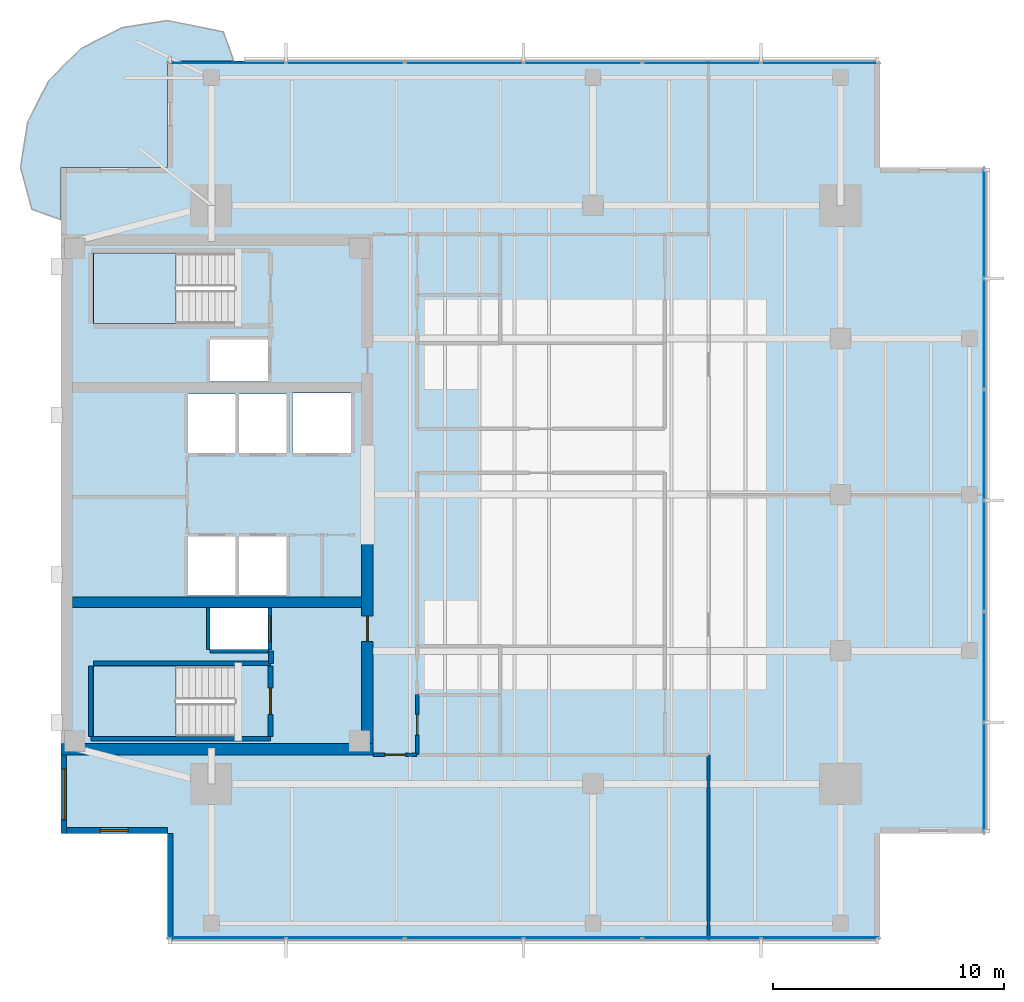
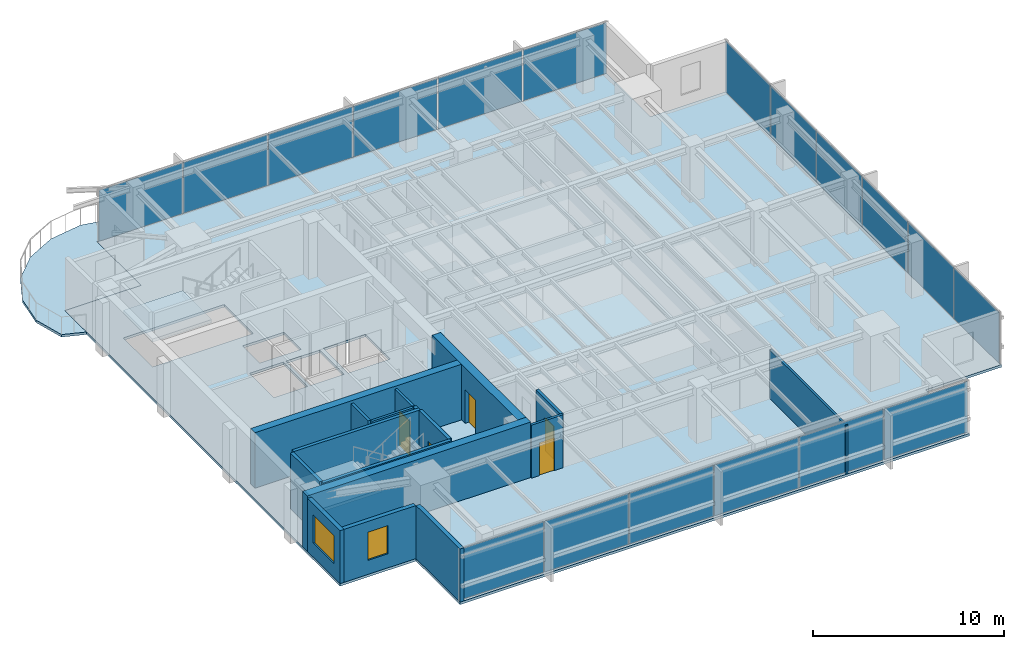
# One storey, part 7 of 14: 18 plates, 17 walls, 5 doors, 4 slabs, 2 windows, 7 openings, 5 elements without a shape of their own.
"""IFC4 building model written with IfcOpenShell, lengths in metres."""

import ifcopenshell
import ifcopenshell.guid

model = None  # the IFC model being written
_history = None  # IfcOwnerHistory: only IFC2X3 demands one
_inside = {}  # id of a spatial element -> (the spatial element, [elements in it])
_under = {}  # id of a project, library or spatial element -> (it, [spatial elements below it])
_declared = {}  # id of a project -> (the project, [libraries it declares])
_typed = {}  # id of a type object -> (the type object, [elements of that type])
_made_of = {}  # id of a material, layer set ... -> (it, [elements and type objects made of it])


def new_model(schema):
    """Start an empty IFC model of exactly this schema.

    Asked for "IFC4X3", IfcOpenShell would pick the latest addendum, in which some entities
    have other attributes; the version numbers below select the first issue.
    IFC2X3 requires an IfcOwnerHistory on every rooted entity: one is made here for all.
    """
    global model, _history
    if schema == "IFC4X3":
        model = ifcopenshell.file(schema_version=(4, 3, 0, 0))
    else:
        model = ifcopenshell.file(schema=schema)
    _inside.clear()
    _under.clear()
    _declared.clear()
    _typed.clear()
    _made_of.clear()
    _history = None
    if model.schema == "IFC2X3":
        org = make("IfcOrganization", Name="unknown")
        user = make(
            "IfcPersonAndOrganization",
            ThePerson=make("IfcPerson", FamilyName="unknown"),
            TheOrganization=org,
        )
        app = make(
            "IfcApplication",
            ApplicationDeveloper=org,
            Version="unknown",
            ApplicationFullName="unknown",
            ApplicationIdentifier="unknown",
        )
        _history = make(
            "IfcOwnerHistory",
            OwningUser=user,
            OwningApplication=app,
            ChangeAction="ADDED",
            CreationDate=0,
        )
    return model


def make(cls, **values):
    """One entity of the class cls with the attributes given. An attribute that is None is left unset."""
    return model.create_entity(
        cls, **{name: value for name, value in values.items() if value is not None}
    )


def rooted(cls, **values):
    """An entity with a GlobalId (a new one), such as an element, a storey or a relation."""
    return make(cls, GlobalId=ifcopenshell.guid.new(), OwnerHistory=_history, **values)


def si_unit(unit_type, name, prefix=None):
    """IfcSIUnit, for example si_unit("LENGTHUNIT", "METRE", prefix="MILLI")."""
    return make("IfcSIUnit", UnitType=unit_type, Prefix=prefix, Name=name)


def assignment(units):
    """IfcUnitAssignment: the units of a project."""
    return None if units is None else make("IfcUnitAssignment", Units=units)


def point(xyz):
    """IfcCartesianPoint."""
    return None if xyz is None else make("IfcCartesianPoint", Coordinates=xyz)


def direction(xyz):
    """IfcDirection."""
    return None if xyz is None else make("IfcDirection", DirectionRatios=xyz)


def frame(location, z_axis=None, x_axis=None):
    """IfcAxis2Placement3D, a coordinate frame: its origin and axes. An axis left out is left unset."""
    return make(
        "IfcAxis2Placement3D",
        Location=point(location),
        Axis=direction(z_axis),
        RefDirection=direction(x_axis),
    )


def frame_2d(location, x_axis=None):
    """IfcAxis2Placement2D, a coordinate frame in the plane: its origin and x axis."""
    return make(
        "IfcAxis2Placement2D", Location=point(location), RefDirection=direction(x_axis)
    )


def origin():
    """The frame at (0, 0, 0) with its axes left unset."""
    return frame((0.0, 0.0, 0.0))


def origin_2d():
    """The frame at (0, 0) in the plane with its x axis left unset."""
    return frame_2d((0.0, 0.0))


def place(relative_to, where):
    """IfcLocalPlacement: puts the frame where relative to a parent placement (None: the world)."""
    return make(
        "IfcLocalPlacement", PlacementRelTo=relative_to, RelativePlacement=where
    )


def context(
    kind, dimensions, precision=None, world=None, true_north=None, identifier=None
):
    """IfcGeometricRepresentationContext, for example the 3D "Model" context."""
    return make(
        "IfcGeometricRepresentationContext",
        ContextIdentifier=identifier,
        ContextType=kind,
        CoordinateSpaceDimension=dimensions,
        Precision=precision,
        WorldCoordinateSystem=world,
        TrueNorth=true_north,
    )


def subcontext(parent, identifier, kind, view, scale=None):
    """IfcGeometricRepresentationSubContext, for example "Body" below "Model"."""
    return make(
        "IfcGeometricRepresentationSubContext",
        ContextIdentifier=identifier,
        ContextType=kind,
        ParentContext=parent,
        TargetScale=scale,
        TargetView=view,
    )


def project(units=None, contexts=None):
    """IfcProject with its units and contexts."""
    return rooted(
        "IfcProject",
        Name="project",
        RepresentationContexts=contexts,
        UnitsInContext=assignment(units),
    )


def spatial(cls, under=None, at=None, **own):
    """A site, building, storey or space (cls), placed at a placement, below another one or the project."""
    s = rooted(cls, ObjectPlacement=at, **own)
    if under is not None:
        _under.setdefault(under.id(), (under, []))[1].append(s)
    return s


def polyline(points):
    """IfcPolyline through the points."""
    return make("IfcPolyline", Points=[point(p) for p in points])


def profile(cls, at=None, kind="AREA", **sizes):
    """A parametric profile (cls). Its sizes go by their IFC names, for example OverallWidth=200.0."""
    return make(cls, ProfileType=kind, Position=at, **sizes)


def rectangle(**sizes):
    """IfcRectangleProfileDef."""
    return profile("IfcRectangleProfileDef", **sizes)


def outline(outer, holes=None, kind="AREA"):
    """IfcArbitraryClosedProfileDef: a profile drawn as a closed curve; with holes, ...WithVoids."""
    if holes is None:
        return make("IfcArbitraryClosedProfileDef", ProfileType=kind, OuterCurve=outer)
    return make(
        "IfcArbitraryProfileDefWithVoids",
        ProfileType=kind,
        OuterCurve=outer,
        InnerCurves=holes,
    )


def extrude(swept, where, along, depth):
    """IfcExtrudedAreaSolid: the profile swept, set in the frame where, extruded along a direction by depth."""
    return make(
        "IfcExtrudedAreaSolid",
        SweptArea=swept,
        Position=where,
        ExtrudedDirection=direction(along),
        Depth=depth,
    )


def shape(context_of_items, identifier, shape_type, items):
    """IfcShapeRepresentation: the items that make up one representation, for example the "Body"."""
    return make(
        "IfcShapeRepresentation",
        ContextOfItems=context_of_items,
        RepresentationIdentifier=identifier,
        RepresentationType=shape_type,
        Items=items,
    )


def material(Name=None, Category=None):
    """IfcMaterial."""
    return make("IfcMaterial", Name=Name, Category=Category)


def layer(
    of_material, thickness, ventilated=None, Name=None, Category=None, Priority=None
):
    """IfcMaterialLayer: one layer of a wall or slab, of a material (None: an air gap)."""
    return make(
        "IfcMaterialLayer",
        Material=of_material,
        LayerThickness=thickness,
        IsVentilated=ventilated,
        Name=Name,
        Category=Category,
        Priority=Priority,
    )


def layer_set(layers, Name=None):
    """IfcMaterialLayerSet."""
    return make("IfcMaterialLayerSet", MaterialLayers=layers, LayerSetName=Name)


def made_of(thing, what):
    """Note that an element or type object is made of a material, layer set ...; save() writes the relation."""
    if what is not None:
        _made_of.setdefault(what.id(), (what, []))[1].append(thing)
    return thing


def type_object(cls, material=None, **own):
    """A type object (cls), such as IfcWallType, which elements share."""
    return made_of(rooted(cls, **own), material)


def element(
    cls,
    number,
    at=None,
    inside=None,
    cuts=None,
    type_object=None,
    material=None,
    context=None,
    identifier="Body",
    shape_type=None,
    held_by="IfcProductDefinitionShape",
    body=None,
    shapes=None,
    **own,
):
    """One element of the class cls, such as IfcWall. Its Tag is "e" and its number.

    at: its placement. inside: the storey or other place that contains it. cuts: it is an
    opening in that element (IfcRelVoidsElement). A single representation is given by context,
    identifier, shape_type and body (its items); several are given by shapes. held_by: the class
    of the entity that holds the representations. save() writes the other relations.
    """
    e = rooted(cls, Tag="e%d" % number, ObjectPlacement=at, **own)
    if body is not None:
        shapes = [shape(context, identifier, shape_type, body)]
    if shapes is not None:
        e.Representation = make(held_by, Representations=shapes)
    if inside is not None:
        _inside.setdefault(inside.id(), (inside, []))[1].append(e)
    if cuts is not None:
        rooted(
            "IfcRelVoidsElement", RelatingBuildingElement=cuts, RelatedOpeningElement=e
        )
    if type_object is not None:
        _typed.setdefault(type_object.id(), (type_object, []))[1].append(e)
    return made_of(e, material)


def fill(opening, filler):
    """IfcRelFillsElement: the door or window that sits in an opening."""
    return rooted(
        "IfcRelFillsElement",
        RelatingOpeningElement=opening,
        RelatedBuildingElement=filler,
    )


def aggregate(whole, parts):
    """IfcRelAggregates: a whole, such as a stair, and the parts it consists of."""
    return rooted("IfcRelAggregates", RelatingObject=whole, RelatedObjects=parts)


def save(model, path):
    """Write the relations noted so far, then the file.

    IfcRelAggregates (storeys below a building ...), IfcRelContainedInSpatialStructure (elements
    in a storey), IfcRelDefinesByType, IfcRelAssociatesMaterial and IfcRelDeclares: one each for
    every whole, place, type object, material and project.
    """
    for whole, parts in _under.values():
        aggregate(whole, parts)
    for where, things in _inside.values():
        rooted(
            "IfcRelContainedInSpatialStructure",
            RelatedElements=things,
            RelatingStructure=where,
        )
    for kind, things in _typed.values():
        rooted("IfcRelDefinesByType", RelatedObjects=things, RelatingType=kind)
    for what, things in _made_of.values():
        rooted("IfcRelAssociatesMaterial", RelatedObjects=things, RelatingMaterial=what)
    for by, libraries in _declared.values():
        rooted("IfcRelDeclares", RelatingContext=by, RelatedDefinitions=libraries)
    model.write(path)


model = new_model("IFC4")

# Units and contexts
model_context = context("Model", 3, precision=1e-05, world=origin(), true_north=direction((0.0, 1.0)))
body_context = subcontext(model_context, "Body", "Model", "MODEL_VIEW")
ifc_project = project(units=[si_unit("LENGTHUNIT", "METRE"), si_unit("AREAUNIT", "SQUARE_METRE"), si_unit("VOLUMEUNIT", "CUBIC_METRE"), si_unit("PLANEANGLEUNIT", "RADIAN"), si_unit("MASSUNIT", "GRAM", prefix="KILO")], contexts=[model_context])

# Site, building, storey
site_placement = place(None, origin())
site = spatial("IfcSite", under=ifc_project, at=site_placement, CompositionType="ELEMENT")
building_placement = place(site_placement, origin())
building = spatial("IfcBuilding", under=site, at=building_placement, Name="Kinhvarn Gate Tower", CompositionType="ELEMENT")
storey_placement = place(building_placement, frame((0.0, 0.0, 267.0)))
storey = spatial("IfcBuildingStorey", under=building, at=storey_placement, Name="L71", CompositionType="ELEMENT", Elevation=267.0)

# Curtain wall, plates
ifc_material_1 = material(Name="Anodised aluminium AW-6063", Category="aluminium")
ifc_layer_1 = layer(ifc_material_1, 0.179931640625)
ifc_layer_set_1 = layer_set([ifc_layer_1], Name="Anodised aluminium AW-6063")
curtain_wall_type = type_object("IfcCurtainWallType", Name="CW-SYS-3", PredefinedType="NOTDEFINED", material=ifc_layer_set_1)
curtain_wall_1_placement = place(storey_placement, origin())
curtain_wall_1 = element("IfcCurtainWall", 1, at=curtain_wall_1_placement, inside=storey, type_object=curtain_wall_type, Name="Curtain Wall CW3 (L71)", PredefinedType="NOTDEFINED")
ifc_material_2 = material(Name="Clear low-e double glazing", Category="glass")
ifc_layer_2 = layer(ifc_material_2, 0.031982421875)
ifc_layer_set_2 = layer_set([ifc_layer_2], Name="Clear low-e double glazing")
plate_type = type_object("IfcPlateType", Name="CW-PNL-VIS", PredefinedType="CURTAIN_PANEL", material=ifc_layer_set_2)
plate_1_placement = place(storey_placement, frame((11.682861328125, 6.090087890625, 0.070068359375), z_axis=(0.0, 0.0, 1.0), x_axis=(1.0, 0.0, 0.0)))
plate_1 = element("IfcPlate", 2, at=plate_1_placement, type_object=plate_type, Name="CW3 panel 1.1", PredefinedType="CURTAIN_PANEL", context=body_context, shape_type="SweptSolid", body=[
    extrude(rectangle(XDim=5.035888671875, YDim=0.031982421875, at=origin_2d()), origin(), (0.0, 0.0, 1.0), 3.25),
])
plate_2_placement = place(storey_placement, frame((16.800048828125, 6.090087890625, 0.070068359375), z_axis=(0.0, 0.0, 1.0), x_axis=(1.0, 0.0, 0.0)))
plate_2 = element("IfcPlate", 3, at=plate_2_placement, type_object=plate_type, Name="CW3 panel 2.1", PredefinedType="CURTAIN_PANEL", context=body_context, shape_type="SweptSolid", body=[
    extrude(rectangle(XDim=5.068359375, YDim=0.031982421875, at=origin_2d()), origin(), (0.0, 0.0, 1.0), 3.25),
])
plate_3_placement = place(storey_placement, frame((21.933349609375, 6.090087890625, 0.070068359375), z_axis=(0.0, 0.0, 1.0), x_axis=(1.0, 0.0, 0.0)))
plate_3 = element("IfcPlate", 4, at=plate_3_placement, type_object=plate_type, Name="CW3 panel 3.1", PredefinedType="CURTAIN_PANEL", context=body_context, shape_type="SweptSolid", body=[
    extrude(rectangle(XDim=5.068359375, YDim=0.031982421875, at=origin_2d()), origin(), (0.0, 0.0, 1.0), 3.25),
])
plate_4_placement = place(storey_placement, frame((27.066650390625, 6.090087890625, 0.070068359375), z_axis=(0.0, 0.0, 1.0), x_axis=(1.0, 0.0, 0.0)))
plate_4 = element("IfcPlate", 5, at=plate_4_placement, type_object=plate_type, Name="CW3 panel 4.1", PredefinedType="CURTAIN_PANEL", context=body_context, shape_type="SweptSolid", body=[
    extrude(rectangle(XDim=5.068359375, YDim=0.031982421875, at=origin_2d()), origin(), (0.0, 0.0, 1.0), 3.25),
])
plate_5_placement = place(storey_placement, frame((32.199951171875, 6.090087890625, 0.070068359375), z_axis=(0.0, 0.0, 1.0), x_axis=(1.0, 0.0, 0.0)))
plate_5 = element("IfcPlate", 6, at=plate_5_placement, type_object=plate_type, Name="CW3 panel 5.1", PredefinedType="CURTAIN_PANEL", context=body_context, shape_type="SweptSolid", body=[
    extrude(rectangle(XDim=5.068359375, YDim=0.031982421875, at=origin_2d()), origin(), (0.0, 0.0, 1.0), 3.25),
])
plate_6_placement = place(storey_placement, frame((37.317138671875, 6.090087890625, 0.070068359375), z_axis=(0.0, 0.0, 1.0), x_axis=(1.0, 0.0, 0.0)))
plate_6 = element("IfcPlate", 7, at=plate_6_placement, type_object=plate_type, Name="CW3 panel 6.1", PredefinedType="CURTAIN_PANEL", context=body_context, shape_type="SweptSolid", body=[
    extrude(rectangle(XDim=5.035888671875, YDim=0.031982421875, at=origin_2d()), origin(), (0.0, 0.0, 1.0), 3.25),
])
aggregate(curtain_wall_1, [plate_1, plate_2, plate_3, plate_4, plate_5, plate_6])

curtain_wall_2_placement = place(storey_placement, origin())
curtain_wall_2 = element("IfcCurtainWall", 8, at=curtain_wall_2_placement, inside=storey, type_object=curtain_wall_type, Name="Curtain Wall CW3 (L71)", PredefinedType="NOTDEFINED")
plate_7_placement = place(storey_placement, frame((37.317138671875, 43.909912109375, 0.070068359375), z_axis=(0.0, 0.0, 1.0), x_axis=(-1.0, 0.0, 0.0)))
plate_7 = element("IfcPlate", 9, at=plate_7_placement, type_object=plate_type, Name="CW3 panel 1.1", PredefinedType="CURTAIN_PANEL", context=body_context, shape_type="SweptSolid", body=[
    extrude(rectangle(XDim=5.035888671875, YDim=0.031982421875, at=origin_2d()), origin(), (0.0, 0.0, 1.0), 3.25),
])
plate_8_placement = place(storey_placement, frame((32.199951171875, 43.909912109375, 0.070068359375), z_axis=(0.0, 0.0, 1.0), x_axis=(-1.0, 0.0, 0.0)))
plate_8 = element("IfcPlate", 10, at=plate_8_placement, type_object=plate_type, Name="CW3 panel 2.1", PredefinedType="CURTAIN_PANEL", context=body_context, shape_type="SweptSolid", body=[
    extrude(rectangle(XDim=5.068359375, YDim=0.031982421875, at=origin_2d()), origin(), (0.0, 0.0, 1.0), 3.25),
])
plate_9_placement = place(storey_placement, frame((27.066650390625, 43.909912109375, 0.070068359375), z_axis=(0.0, 0.0, 1.0), x_axis=(-1.0, 0.0, 0.0)))
plate_9 = element("IfcPlate", 11, at=plate_9_placement, type_object=plate_type, Name="CW3 panel 3.1", PredefinedType="CURTAIN_PANEL", context=body_context, shape_type="SweptSolid", body=[
    extrude(rectangle(XDim=5.068359375, YDim=0.031982421875, at=origin_2d()), origin(), (0.0, 0.0, 1.0), 3.25),
])
plate_10_placement = place(storey_placement, frame((21.933349609375, 43.909912109375, 0.070068359375), z_axis=(0.0, 0.0, 1.0), x_axis=(-1.0, 0.0, 0.0)))
plate_10 = element("IfcPlate", 12, at=plate_10_placement, type_object=plate_type, Name="CW3 panel 4.1", PredefinedType="CURTAIN_PANEL", context=body_context, shape_type="SweptSolid", body=[
    extrude(rectangle(XDim=5.068359375, YDim=0.031982421875, at=origin_2d()), origin(), (0.0, 0.0, 1.0), 3.25),
])
plate_11_placement = place(storey_placement, frame((16.800048828125, 43.909912109375, 0.070068359375), z_axis=(0.0, 0.0, 1.0), x_axis=(-1.0, 0.0, 0.0)))
plate_11 = element("IfcPlate", 13, at=plate_11_placement, type_object=plate_type, Name="CW3 panel 5.1", PredefinedType="CURTAIN_PANEL", context=body_context, shape_type="SweptSolid", body=[
    extrude(rectangle(XDim=5.068359375, YDim=0.031982421875, at=origin_2d()), origin(), (0.0, 0.0, 1.0), 3.25),
])
plate_12_placement = place(storey_placement, frame((11.682861328125, 43.909912109375, 0.070068359375), z_axis=(0.0, 0.0, 1.0), x_axis=(-1.0, 0.0, 0.0)))
plate_12 = element("IfcPlate", 14, at=plate_12_placement, type_object=plate_type, Name="CW3 panel 6.1", PredefinedType="CURTAIN_PANEL", context=body_context, shape_type="SweptSolid", body=[
    extrude(rectangle(XDim=5.035888671875, YDim=0.031982421875, at=origin_2d()), origin(), (0.0, 0.0, 1.0), 3.25),
])
aggregate(curtain_wall_2, [plate_7, plate_8, plate_9, plate_10, plate_11, plate_12])

curtain_wall_3_placement = place(storey_placement, origin())
curtain_wall_3 = element("IfcCurtainWall", 15, at=curtain_wall_3_placement, inside=storey, type_object=curtain_wall_type, Name="Curtain Wall CW3 (L71)", PredefinedType="NOTDEFINED")
plate_13_placement = place(storey_placement, frame((44.409912109375, 13.016357421875, 0.070068359375), z_axis=(0.0, 0.0, 1.0), x_axis=(0.0, 1.0, 0.0)))
plate_13 = element("IfcPlate", 16, at=plate_13_placement, type_object=plate_type, Name="CW3 panel 1.1", PredefinedType="CURTAIN_PANEL", context=body_context, shape_type="SweptSolid", body=[
    extrude(rectangle(XDim=4.702392578125, YDim=0.031982421875, at=origin_2d()), origin(), (0.0, 0.0, 1.0), 3.25),
])
plate_14_placement = place(storey_placement, frame((44.409912109375, 17.800048828125, 0.070068359375), z_axis=(0.0, 0.0, 1.0), x_axis=(0.0, 1.0, 0.0)))
plate_14 = element("IfcPlate", 17, at=plate_14_placement, type_object=plate_type, Name="CW3 panel 2.1", PredefinedType="CURTAIN_PANEL", context=body_context, shape_type="SweptSolid", body=[
    extrude(rectangle(XDim=4.735107421875, YDim=0.031982421875, at=origin_2d()), origin(), (0.0, 0.0, 1.0), 3.25),
])
plate_15_placement = place(storey_placement, frame((44.409912109375, 22.60009765625, 0.070068359375), z_axis=(0.0, 0.0, 1.0), x_axis=(0.0, 1.0, 0.0)))
plate_15 = element("IfcPlate", 18, at=plate_15_placement, type_object=plate_type, Name="CW3 panel 3.1", PredefinedType="CURTAIN_PANEL", context=body_context, shape_type="SweptSolid", body=[
    extrude(rectangle(XDim=4.735107421875, YDim=0.031982421875, at=origin_2d()), origin(), (0.0, 0.0, 1.0), 3.25),
])
plate_16_placement = place(storey_placement, frame((44.409912109375, 27.39990234375, 0.070068359375), z_axis=(0.0, 0.0, 1.0), x_axis=(0.0, 1.0, 0.0)))
plate_16 = element("IfcPlate", 19, at=plate_16_placement, type_object=plate_type, Name="CW3 panel 4.1", PredefinedType="CURTAIN_PANEL", context=body_context, shape_type="SweptSolid", body=[
    extrude(rectangle(XDim=4.735107421875, YDim=0.031982421875, at=origin_2d()), origin(), (0.0, 0.0, 1.0), 3.25),
])
plate_17_placement = place(storey_placement, frame((44.409912109375, 32.199951171875, 0.070068359375), z_axis=(0.0, 0.0, 1.0), x_axis=(0.0, 1.0, 0.0)))
plate_17 = element("IfcPlate", 20, at=plate_17_placement, type_object=plate_type, Name="CW3 panel 5.1", PredefinedType="CURTAIN_PANEL", context=body_context, shape_type="SweptSolid", body=[
    extrude(rectangle(XDim=4.735107421875, YDim=0.031982421875, at=origin_2d()), origin(), (0.0, 0.0, 1.0), 3.25),
])
plate_18_placement = place(storey_placement, frame((44.409912109375, 36.983642578125, 0.070068359375), z_axis=(0.0, 0.0, 1.0), x_axis=(0.0, 1.0, 0.0)))
plate_18 = element("IfcPlate", 21, at=plate_18_placement, type_object=plate_type, Name="CW3 panel 6.1", PredefinedType="CURTAIN_PANEL", context=body_context, shape_type="SweptSolid", body=[
    extrude(rectangle(XDim=4.702392578125, YDim=0.031982421875, at=origin_2d()), origin(), (0.0, 0.0, 1.0), 3.25),
])
aggregate(curtain_wall_3, [plate_13, plate_14, plate_15, plate_16, plate_17, plate_18])

# Slabs
ifc_material_3 = material(Name="Precast white architectural concrete C40/50", Category="concrete")
ifc_layer_3 = layer(ifc_material_3, 0.159912109375)
ifc_layer_set_3 = layer_set([ifc_layer_3], Name="Precast white architectural concrete C40/50")
slab_type_1 = type_object("IfcSlabType", Name="SLB-BAL-160", PredefinedType="FLOOR", material=ifc_layer_set_3)
slab_1_placement = place(storey_placement, frame((0.0, 0.0, -0.159912109375)))
element("IfcSlab", 22, at=slab_1_placement, inside=storey, type_object=slab_type_1, Name="S-Carve Curved Terrace Balcony Slab L71 (NW)", PredefinedType="FLOOR", context=body_context, shape_type="SweptSolid", body=[
    extrude(outline(polyline([(11.969970703125, 44.0), (11.52001953125, 45.2578125), (9.10009765625, 45.7470703125), (7.138671875, 45.436279296875), (5.369384765625, 44.534912109375), (3.965087890625, 43.130615234375), (3.063720703125, 41.361328125), (2.7529296875, 39.39990234375), (3.2421875, 37.587890625), (4.5, 37.137939453125), (4.5, 39.39990234375), (9.10009765625, 39.39990234375), (9.10009765625, 44.0), (11.969970703125, 44.0)])), origin(), (0.0, 0.0, 1.0), 0.159912109375),
])
ifc_material_4 = material(Name="Concrete C40/50", Category="concrete")
ifc_layer_4 = layer(ifc_material_4, 0.159912109375)
ifc_layer_set_4 = layer_set([ifc_layer_4], Name="Concrete C40/50")
slab_type_2 = type_object("IfcSlabType", Name="SLB-FLR-160", PredefinedType="FLOOR", material=ifc_layer_set_4)
slab_2_placement = place(storey_placement, frame((0.0, 0.0, -0.159912109375)))
element("IfcSlab", 23, at=slab_2_placement, inside=storey, type_object=slab_type_2, Name="Suspended Floor Slab L71", PredefinedType="FLOOR", context=body_context, shape_type="SweptSolid", body=[
    extrude(outline(polyline([(9.10009765625, 6.0), (39.89990234375, 6.0), (39.89990234375, 10.60009765625), (44.5, 10.60009765625), (44.5, 39.39990234375), (39.89990234375, 39.39990234375), (39.89990234375, 44.0), (9.10009765625, 44.0), (9.10009765625, 39.39990234375), (4.5, 39.39990234375), (4.5, 10.60009765625), (9.10009765625, 10.60009765625), (9.10009765625, 6.0)]), holes=[polyline([(5.89990234375, 14.800048828125), (12.0, 14.800048828125), (12.0, 17.85009765625), (5.89990234375, 17.85009765625), (5.89990234375, 14.800048828125)]), polyline([(5.89990234375, 32.64990234375), (12.0, 32.64990234375), (12.0, 35.699951171875), (5.89990234375, 35.699951171875), (5.89990234375, 32.64990234375)]), polyline([(10.0, 20.89990234375), (12.050048828125, 20.89990234375), (12.050048828125, 23.449951171875), (10.0, 23.449951171875), (10.0, 20.89990234375)]), polyline([(12.199951171875, 20.89990234375), (14.25, 20.89990234375), (14.25, 23.449951171875), (12.199951171875, 23.449951171875), (12.199951171875, 20.89990234375)]), polyline([(10.0, 27.050048828125), (12.050048828125, 27.050048828125), (12.050048828125, 29.60009765625), (10.0, 29.60009765625), (10.0, 27.050048828125)]), polyline([(12.199951171875, 27.050048828125), (14.25, 27.050048828125), (14.25, 29.60009765625), (12.199951171875, 29.60009765625), (12.199951171875, 27.050048828125)]), polyline([(14.5, 27.050048828125), (17.050048828125, 27.050048828125), (17.050048828125, 29.64990234375), (14.5, 29.64990234375), (14.5, 27.050048828125)]), polyline([(10.949951171875, 18.550048828125), (13.449951171875, 18.550048828125), (13.449951171875, 20.35009765625), (10.949951171875, 20.35009765625), (10.949951171875, 18.550048828125)]), polyline([(10.949951171875, 30.14990234375), (13.449951171875, 30.14990234375), (13.449951171875, 31.949951171875), (10.949951171875, 31.949951171875), (10.949951171875, 30.14990234375)])]), origin(), (0.0, 0.0, 1.0), 0.159912109375),
])

# Stair, slab
stair_type = type_object("IfcStairType", Name="STR-DLG-178", PredefinedType="HALF_TURN_STAIR", material=ifc_material_4)
stair_1_placement = place(storey_placement, origin())
stair_1 = element("IfcStair", 24, at=stair_1_placement, inside=storey, type_object=stair_type, Name="L71 Core Smokeproof Exit Stair ST1", PredefinedType="HALF_TURN_STAIR")
ifc_layer_5 = layer(ifc_material_4, 0.199951171875)
ifc_layer_set_5 = layer_set([ifc_layer_5], Name="Concrete C40/50")
slab_type_3 = type_object("IfcSlabType", Name="SLB-ST-LND", PredefinedType="LANDING", material=ifc_layer_set_5)
slab_3_placement = place(storey_placement, frame((0.0, 0.0, 1.574951171875)))
slab_3 = element("IfcSlab", 25, at=slab_3_placement, type_object=slab_type_3, Name="ST1 landing 1", PredefinedType="LANDING", context=body_context, shape_type="SweptSolid", body=[
    extrude(outline(polyline([(9.47998046875, 17.85009765625), (5.89990234375, 17.85009765625), (5.89990234375, 14.800048828125), (9.47998046875, 14.800048828125), (9.47998046875, 17.85009765625)])), origin(), (0.0, 0.0, 1.0), 0.199951171875),
])
aggregate(stair_1, [slab_3])

stair_2_placement = place(storey_placement, origin())
stair_2 = element("IfcStair", 26, at=stair_2_placement, inside=storey, type_object=stair_type, Name="L71 Core Smokeproof Exit Stair ST2", PredefinedType="HALF_TURN_STAIR")
slab_4_placement = place(storey_placement, frame((0.0, 0.0, 1.574951171875)))
slab_4 = element("IfcSlab", 27, at=slab_4_placement, type_object=slab_type_3, Name="ST2 landing 1", PredefinedType="LANDING", context=body_context, shape_type="SweptSolid", body=[
    extrude(outline(polyline([(9.47998046875, 35.699951171875), (5.89990234375, 35.699951171875), (5.89990234375, 32.64990234375), (9.47998046875, 32.64990234375), (9.47998046875, 35.699951171875)])), origin(), (0.0, 0.0, 1.0), 0.199951171875),
])
aggregate(stair_2, [slab_4])

# Walls
ifc_material_5 = material(Name="Concrete C50/60", Category="concrete")
ifc_layer_6 = layer(ifc_material_5, 0.449951171875)
ifc_layer_set_6 = layer_set([ifc_layer_6], Name="Concrete C50/60")
wall_type_1 = type_object("IfcWallType", Name="WL-CORE-450", PredefinedType="SHEAR", material=ifc_layer_set_6)
wall_1_placement = place(storey_placement, frame((5.0, 20.60009765625, 0.0), z_axis=(0.0, 0.0, 1.0), x_axis=(1.0, 0.0, 0.0)))
element("IfcWall", 28, at=wall_1_placement, inside=storey, type_object=wall_type_1, Name="Core South Spine Shear Wall L71 450 mm", PredefinedType="SHEAR", context=body_context, shape_type="SweptSolid", body=[
    extrude(rectangle(XDim=12.5, YDim=0.449951171875, at=frame_2d((6.25, 0.0))), origin(), (0.0, 0.0, 1.0), 3.550048828125),
])
ifc_layer_7 = layer(ifc_material_5, 0.5)
ifc_layer_set_7 = layer_set([ifc_layer_7], Name="Concrete C50/60")
wall_type_2 = type_object("IfcWallType", Name="WL-CORE-500", PredefinedType="SHEAR", material=ifc_layer_set_7)
wall_2_placement = place(storey_placement, frame((4.5, 14.25, 0.0), z_axis=(0.0, 0.0, 1.0), x_axis=(1.0, 0.0, 0.0)))
element("IfcWall", 29, at=wall_2_placement, inside=storey, type_object=wall_type_2, Name="Core South Shear Wall L71 500 mm", PredefinedType="SHEAR", context=body_context, shape_type="SweptSolid", body=[
    extrude(rectangle(XDim=13.5, YDim=0.5, at=frame_2d((6.75, 0.0))), origin(), (0.0, 0.0, 1.0), 3.550048828125),
])

# Wall, opening, door
wall_3_placement = place(storey_placement, frame((17.75, 14.5, 0.0), z_axis=(0.0, 0.0, 1.0), x_axis=(0.0, 1.0, 0.0)))
wall_3 = element("IfcWall", 30, at=wall_3_placement, inside=storey, type_object=wall_type_2, Name="Core East-South Shear Pier L71 500 mm", PredefinedType="SHEAR", context=body_context, shape_type="SweptSolid", body=[
    extrude(rectangle(XDim=8.949951171875, YDim=0.5, at=frame_2d((4.47509765625, 0.0))), origin(), (0.0, 0.0, 1.0), 3.550048828125),
])
opening_1_placement = place(wall_3_placement, frame((4.39990234375, 0.0, 0.0)))
opening_1 = element("IfcOpeningElement", 31, at=opening_1_placement, cuts=wall_3, Name="Opening FD-02", PredefinedType="OPENING", context=body_context, shape_type="SweptSolid", body=[
    extrude(rectangle(XDim=1.10009765625, YDim=2.14990234375, at=frame_2d((0.550048828125, 1.074951171875))), frame((0.0, 0.260009765625, 0.0), z_axis=(0.0, -1.0, 0.0), x_axis=(1.0, 0.0, 0.0)), (0.0, 0.0, 1.0), 0.52001953125),
])
door_type_1 = type_object("IfcDoorType", Name="DR-FD-1100", OperationType="NOTDEFINED", PredefinedType="DOOR", material=ifc_material_1)
door_1_placement = place(opening_1_placement, origin())
door_1 = element("IfcDoor", 32, at=door_1_placement, inside=storey, type_object=door_type_1, Name="Firefighting Lobby Core Door (L71)", OperationType="SINGLE_SWING_RIGHT", OverallHeight=2.14990234375, OverallWidth=1.10009765625, PredefinedType="DOOR", context=body_context, shape_type="SweptSolid", body=[
    extrude(rectangle(XDim=1.10009765625, YDim=2.14990234375, at=frame_2d((0.550048828125, 1.074951171875))), frame((0.0, 0.02490234375, 0.0), z_axis=(0.0, -1.0, 0.0), x_axis=(1.0, 0.0, 0.0)), (0.0, 0.0, 1.0), 0.050048828125),
])
fill(opening_1, door_1)

# Wall, opening, window
ifc_material_6 = material(Name="Fired architectural terracotta", Category="masonry")
ifc_layer_8 = layer(ifc_material_6, 0.25)
ifc_layer_set_8 = layer_set([ifc_layer_8], Name="Fired architectural terracotta")
wall_type_3 = type_object("IfcWallType", Name="WL-EXT-250", PredefinedType="SOLIDWALL", material=ifc_layer_set_8)
wall_4_placement = place(storey_placement, frame((4.625, 14.0, 0.0), z_axis=(0.0, 0.0, 1.0), x_axis=(0.0, -1.0, 0.0)))
wall_4 = element("IfcWall", 33, at=wall_4_placement, inside=storey, type_object=wall_type_3, Name="Exterior Solidwall Wall EW-250 (L71 West-South)", PredefinedType="SOLIDWALL", context=body_context, shape_type="SweptSolid", body=[
    extrude(rectangle(XDim=3.39990234375, YDim=0.25, at=frame_2d((1.699951171875, 0.0))), origin(), (0.0, 0.0, 1.0), 3.389892578125),
])
opening_2_placement = place(wall_4_placement, frame((0.60009765625, 0.0, 0.89990234375)))
opening_2 = element("IfcOpeningElement", 34, at=opening_2_placement, cuts=wall_4, Name="Opening WN-01", PredefinedType="OPENING", context=body_context, shape_type="SweptSolid", body=[
    extrude(rectangle(XDim=2.199951171875, YDim=1.800048828125, at=frame_2d((1.10009765625, 0.89990234375))), frame((0.0, 0.135009765625, 0.0), z_axis=(0.0, -1.0, 0.0), x_axis=(1.0, 0.0, 0.0)), (0.0, 0.0, 1.0), 0.27001953125),
])
window_type_1 = type_object("IfcWindowType", Name="WIN-RIB-2200", PartitioningType="SINGLE_PANEL", PredefinedType="WINDOW", material=ifc_material_2)
window_1_placement = place(opening_2_placement, origin())
window_1 = element("IfcWindow", 35, at=window_1_placement, inside=storey, type_object=window_type_1, Name="West Flank Double-Glazed Ribbon Window 2200x1800 mm (L71)", OverallHeight=1.800048828125, OverallWidth=2.199951171875, PartitioningType="SINGLE_PANEL", PredefinedType="WINDOW", context=body_context, shape_type="SweptSolid", body=[
    extrude(rectangle(XDim=2.199951171875, YDim=1.800048828125, at=frame_2d((1.10009765625, 0.89990234375))), frame((0.0, 0.030029296875, 0.0), z_axis=(0.0, -1.0, 0.0), x_axis=(1.0, 0.0, 0.0)), (0.0, 0.0, 1.0), 0.06005859375),
])
fill(opening_2, window_1)

wall_5_placement = place(storey_placement, frame((4.5, 10.72509765625, 0.0), z_axis=(0.0, 0.0, 1.0), x_axis=(1.0, 0.0, 0.0)))
wall_5 = element("IfcWall", 36, at=wall_5_placement, inside=storey, type_object=wall_type_3, Name="Exterior Solidwall Wall EW-250 (L71 SW-Notch-1)", PredefinedType="SOLIDWALL", context=body_context, shape_type="SweptSolid", body=[
    extrude(rectangle(XDim=4.60009765625, YDim=0.25, at=frame_2d((2.300048828125, 0.0))), origin(), (0.0, 0.0, 1.0), 3.389892578125),
])
opening_3_placement = place(wall_5_placement, frame((1.699951171875, 0.0, 0.89990234375)))
opening_3 = element("IfcOpeningElement", 37, at=opening_3_placement, cuts=wall_5, Name="Opening WN-02", PredefinedType="OPENING", context=body_context, shape_type="SweptSolid", body=[
    extrude(rectangle(XDim=1.199951171875, YDim=1.800048828125, at=frame_2d((0.60009765625, 0.89990234375))), frame((0.0, 0.135009765625, 0.0), z_axis=(0.0, -1.0, 0.0), x_axis=(1.0, 0.0, 0.0)), (0.0, 0.0, 1.0), 0.27001953125),
])
window_type_2 = type_object("IfcWindowType", Name="WIN-NTC-1200", PartitioningType="SINGLE_PANEL", PredefinedType="WINDOW", material=ifc_material_2)
window_2_placement = place(opening_3_placement, origin())
window_2 = element("IfcWindow", 38, at=window_2_placement, inside=storey, type_object=window_type_2, Name="Recessed Corner Notch Punched Window 1200x1800 mm (L71)", OverallHeight=1.800048828125, OverallWidth=1.199951171875, PartitioningType="SINGLE_PANEL", PredefinedType="WINDOW", context=body_context, shape_type="SweptSolid", body=[
    extrude(rectangle(XDim=1.199951171875, YDim=1.800048828125, at=frame_2d((0.60009765625, 0.89990234375))), frame((0.0, 0.030029296875, 0.0), z_axis=(0.0, -1.0, 0.0), x_axis=(1.0, 0.0, 0.0)), (0.0, 0.0, 1.0), 0.06005859375),
])
fill(opening_3, window_2)

# Wall
wall_6_placement = place(storey_placement, frame((9.22509765625, 10.60009765625, 0.0), z_axis=(0.0, 0.0, 1.0), x_axis=(0.0, -1.0, 0.0)))
element("IfcWall", 39, at=wall_6_placement, inside=storey, type_object=wall_type_3, Name="Exterior Solidwall Wall EW-250 (L71 SW-Notch-2)", PredefinedType="SOLIDWALL", context=body_context, shape_type="SweptSolid", body=[
    extrude(rectangle(XDim=4.60009765625, YDim=0.25, at=frame_2d((2.300048828125, 0.0))), origin(), (0.0, 0.0, 1.0), 3.389892578125),
])

# Wall, opening, door
ifc_material_7 = material(Name="Gypsum acoustic partition board")
ifc_layer_9 = layer(ifc_material_7, 0.14990234375)
ifc_layer_set_9 = layer_set([ifc_layer_9], Name="Gypsum acoustic partition board")
wall_type_4 = type_object("IfcWallType", Name="WL-PLM-150F", PredefinedType="PLUMBINGWALL", material=ifc_layer_set_9)
wall_7_placement = place(storey_placement, frame((19.89990234375, 14.0, 0.0), z_axis=(0.0, 0.0, 1.0), x_axis=(0.0, 1.0, 0.0)))
wall_7 = element("IfcWall", 40, at=wall_7_placement, inside=storey, type_object=wall_type_4, Name="Interior Partition PLW-150F (L71)", PredefinedType="PLUMBINGWALL", context=body_context, shape_type="SweptSolid", body=[
    extrude(rectangle(XDim=2.60009765625, YDim=0.14990234375, at=frame_2d((1.300048828125, 0.0))), origin(), (0.0, 0.0, 1.0), 3.389892578125),
])
opening_4_placement = place(wall_7_placement, frame((0.85009765625, 0.0, 0.0)))
opening_4 = element("IfcOpeningElement", 41, at=opening_4_placement, cuts=wall_7, Name="Opening FD-04", PredefinedType="OPENING", context=body_context, shape_type="SweptSolid", body=[
    extrude(rectangle(XDim=0.89990234375, YDim=2.10009765625, at=frame_2d((0.449951171875, 1.050048828125))), frame((0.0, 0.0849609375, 0.0), z_axis=(0.0, -1.0, 0.0), x_axis=(1.0, 0.0, 0.0)), (0.0, 0.0, 1.0), 0.169921875),
])
door_type_2 = type_object("IfcDoorType", Name="DR-FD-900", OperationType="NOTDEFINED", PredefinedType="DOOR", material=ifc_material_1)
door_2_placement = place(opening_4_placement, origin())
door_2 = element("IfcDoor", 42, at=door_2_placement, inside=storey, type_object=door_type_2, Name="Rated Riser & Service Closet Fire Door 900x2100 mm (L71)", OperationType="SINGLE_SWING_RIGHT", OverallHeight=2.10009765625, OverallWidth=0.89990234375, PredefinedType="DOOR", context=body_context, shape_type="SweptSolid", body=[
    extrude(rectangle(XDim=0.89990234375, YDim=2.10009765625, at=frame_2d((0.449951171875, 1.050048828125))), frame((0.0, 0.02490234375, 0.0), z_axis=(0.0, -1.0, 0.0), x_axis=(1.0, 0.0, 0.0)), (0.0, 0.0, 1.0), 0.050048828125),
])
fill(opening_4, door_2)

# Wall
ifc_layer_10 = layer(ifc_material_7, 0.1201171875)
ifc_layer_set_10 = layer_set([ifc_layer_10], Name="Gypsum acoustic partition board")
wall_type_5 = type_object("IfcWallType", Name="WL-PRT-120", PredefinedType="PARTITIONING", material=ifc_layer_set_10)
wall_8_placement = place(storey_placement, frame((32.5, 6.010009765625, 0.0), z_axis=(0.0, 0.0, 1.0), x_axis=(0.0, 1.0, 0.0)))
element("IfcWall", 43, at=wall_8_placement, inside=storey, type_object=wall_type_5, Name="Interior Partition PW-120 (L71)", PredefinedType="PARTITIONING", context=body_context, shape_type="SweptSolid", body=[
    extrude(rectangle(XDim=7.989990234375, YDim=0.1201171875, at=frame_2d((3.9951171875, 0.0))), origin(), (0.0, 0.0, 1.0), 3.1201171875),
])

# Wall, opening, door
ifc_layer_11 = layer(ifc_material_7, 0.14990234375)
ifc_layer_set_11 = layer_set([ifc_layer_11], Name="Gypsum acoustic partition board")
wall_type_6 = type_object("IfcWallType", Name="WL-PRT-150F", PredefinedType="PARTITIONING", material=ifc_layer_set_11)
wall_9_placement = place(storey_placement, frame((18.0, 14.0, 0.0), z_axis=(0.0, 0.0, 1.0), x_axis=(1.0, 0.0, 0.0)))
wall_9 = element("IfcWall", 44, at=wall_9_placement, inside=storey, type_object=wall_type_6, Name="Interior Partition PW-150F (L71)", PredefinedType="PARTITIONING", context=body_context, shape_type="SweptSolid", body=[
    extrude(rectangle(XDim=1.89990234375, YDim=0.14990234375, at=frame_2d((0.949951171875, 0.0))), origin(), (0.0, 0.0, 1.0), 3.389892578125),
])
opening_5_placement = place(wall_9_placement, frame((0.5, 0.0, 0.0)))
opening_5 = element("IfcOpeningElement", 45, at=opening_5_placement, cuts=wall_9, Name="Opening ID-03", PredefinedType="OPENING", context=body_context, shape_type="SweptSolid", body=[
    extrude(rectangle(XDim=0.89990234375, YDim=2.10009765625, at=frame_2d((0.449951171875, 1.050048828125))), frame((0.0, 0.0849609375, 0.0), z_axis=(0.0, -1.0, 0.0), x_axis=(1.0, 0.0, 0.0)), (0.0, 0.0, 1.0), 0.169921875),
])
door_type_3 = type_object("IfcDoorType", Name="DR-INT-900", OperationType="NOTDEFINED", PredefinedType="DOOR", material=ifc_material_1)
door_3_placement = place(opening_5_placement, origin())
door_3 = element("IfcDoor", 46, at=door_3_placement, inside=storey, type_object=door_type_3, Name="Cellular Office & Restroom Door 900x2100 mm (L71)", OperationType="SINGLE_SWING_RIGHT", OverallHeight=2.10009765625, OverallWidth=0.89990234375, PredefinedType="DOOR", context=body_context, shape_type="SweptSolid", body=[
    extrude(rectangle(XDim=0.89990234375, YDim=2.10009765625, at=frame_2d((0.449951171875, 1.050048828125))), frame((0.0, 0.02490234375, 0.0), z_axis=(0.0, -1.0, 0.0), x_axis=(1.0, 0.0, 0.0)), (0.0, 0.0, 1.0), 0.050048828125),
])
fill(opening_5, door_3)

# Walls
ifc_layer_12 = layer(ifc_material_7, 0.199951171875)
ifc_layer_set_12 = layer_set([ifc_layer_12], Name="Gypsum acoustic partition board")
wall_type_7 = type_object("IfcWallType", Name="WL-PRT-200", PredefinedType="PARTITIONING", material=ifc_layer_set_12)
wall_10_placement = place(storey_placement, frame((13.580078125, 17.9599609375, 0.0), z_axis=(0.0, 0.0, 1.0), x_axis=(0.0, 1.0, 0.0)))
element("IfcWall", 47, at=wall_10_placement, inside=storey, type_object=wall_type_7, Name="Interior Partition PW-200 (L71)", PredefinedType="PARTITIONING", context=body_context, shape_type="SweptSolid", body=[
    extrude(rectangle(XDim=0.5400390625, YDim=0.199951171875, at=frame_2d((0.27001953125, 0.0))), origin(), (0.0, 0.0, 1.0), 3.389892578125),
])
ifc_layer_13 = layer(ifc_material_7, 0.14990234375)
ifc_layer_set_13 = layer_set([ifc_layer_13], Name="Gypsum acoustic partition board")
wall_type_8 = type_object("IfcWallType", Name="WL-SHF-150", PredefinedType="PARTITIONING", material=ifc_layer_set_13)
wall_11_placement = place(storey_placement, frame((10.949951171875, 18.47509765625, 0.0), z_axis=(0.0, 0.0, 1.0), x_axis=(1.0, 0.0, 0.0)))
element("IfcWall", 48, at=wall_11_placement, inside=storey, type_object=wall_type_8, Name="Elevator FF1 Hoistway Wall S (L71)", PredefinedType="PARTITIONING", context=body_context, shape_type="SweptSolid", body=[
    extrude(rectangle(XDim=2.5, YDim=0.14990234375, at=frame_2d((1.25, 0.0))), origin(), (0.0, 0.0, 1.0), 3.389892578125),
])
wall_12_placement = place(storey_placement, frame((10.875, 18.550048828125, 0.0), z_axis=(0.0, 0.0, 1.0), x_axis=(0.0, 1.0, 0.0)))
element("IfcWall", 49, at=wall_12_placement, inside=storey, type_object=wall_type_8, Name="Elevator FF1 Hoistway Wall W (L71)", PredefinedType="PARTITIONING", context=body_context, shape_type="SweptSolid", body=[
    extrude(rectangle(XDim=1.800048828125, YDim=0.14990234375, at=frame_2d((0.89990234375, 0.0))), origin(), (0.0, 0.0, 1.0), 3.389892578125),
])

# Wall, opening, door
wall_13_placement = place(storey_placement, frame((13.52490234375, 18.550048828125, 0.0), z_axis=(0.0, 0.0, 1.0), x_axis=(0.0, 1.0, 0.0)))
wall_13 = element("IfcWall", 50, at=wall_13_placement, inside=storey, type_object=wall_type_8, Name="Elevator FF1 Landing Wall (L71)", PredefinedType="PARTITIONING", context=body_context, shape_type="SweptSolid", body=[
    extrude(rectangle(XDim=1.800048828125, YDim=0.14990234375, at=frame_2d((0.89990234375, 0.0))), origin(), (0.0, 0.0, 1.0), 3.389892578125),
])
opening_6_placement = place(wall_13_placement, frame((0.35009765625, 0.0, 0.0)))
opening_6 = element("IfcOpeningElement", 51, at=opening_6_placement, cuts=wall_13, Name="Opening LD-03", PredefinedType="OPENING", context=body_context, shape_type="SweptSolid", body=[
    extrude(rectangle(XDim=1.10009765625, YDim=2.199951171875, at=frame_2d((0.550048828125, 1.10009765625))), frame((0.0, 0.0849609375, 0.0), z_axis=(0.0, -1.0, 0.0), x_axis=(1.0, 0.0, 0.0)), (0.0, 0.0, 1.0), 0.169921875),
])
door_type_4 = type_object("IfcDoorType", Name="DR-LND-FF", OperationType="NOTDEFINED", PredefinedType="DOOR", material=ifc_material_1)
door_4_placement = place(opening_6_placement, origin())
door_4 = element("IfcDoor", 52, at=door_4_placement, inside=storey, type_object=door_type_4, Name="Elevator FF1 Sliding Landing Door (L71)", OperationType="DOUBLE_DOOR_SLIDING", OverallHeight=2.199951171875, OverallWidth=1.10009765625, PredefinedType="DOOR", context=body_context, shape_type="SweptSolid", body=[
    extrude(rectangle(XDim=1.10009765625, YDim=2.199951171875, at=frame_2d((0.550048828125, 1.10009765625))), frame((0.0, 0.02490234375, 0.0), z_axis=(0.0, -1.0, 0.0), x_axis=(1.0, 0.0, 0.0)), (0.0, 0.0, 1.0), 0.050048828125),
])
fill(opening_6, door_4)

# Walls
ifc_layer_14 = layer(ifc_material_4, 0.199951171875)
ifc_layer_set_14 = layer_set([ifc_layer_14], Name="Concrete C40/50")
wall_type_9 = type_object("IfcWallType", Name="WL-SHF-200", PredefinedType="SOLIDWALL", material=ifc_layer_set_14)
wall_14_placement = place(storey_placement, frame((5.800048828125, 14.699951171875, 0.0), z_axis=(0.0, 0.0, 1.0), x_axis=(1.0, 0.0, 0.0)))
element("IfcWall", 53, at=wall_14_placement, inside=storey, type_object=wall_type_9, Name="Stair ST1 South Shaft Wall (L71)", PredefinedType="SOLIDWALL", context=body_context, shape_type="SweptSolid", body=[
    extrude(rectangle(XDim=7.75, YDim=0.199951171875, at=frame_2d((3.875, 0.0))), origin(), (0.0, 0.0, 1.0), 3.550048828125),
])
wall_15_placement = place(storey_placement, frame((5.7900390625, 14.800048828125, 0.0), z_axis=(0.0, 0.0, 1.0), x_axis=(0.0, 1.0, 0.0)))
element("IfcWall", 54, at=wall_15_placement, inside=storey, type_object=wall_type_9, Name="Stair ST1 West Shaft Wall (L71)", PredefinedType="SOLIDWALL", context=body_context, shape_type="SweptSolid", body=[
    extrude(rectangle(XDim=3.050048828125, YDim=0.199951171875, at=frame_2d((1.52490234375, 0.0))), origin(), (0.0, 0.0, 1.0), 3.550048828125),
])
wall_16_placement = place(storey_placement, frame((5.89990234375, 17.9599609375, 0.0), z_axis=(0.0, 0.0, 1.0), x_axis=(1.0, 0.0, 0.0)))
element("IfcWall", 55, at=wall_16_placement, inside=storey, type_object=wall_type_9, Name="Stair ST1 North Shaft Wall (L71)", PredefinedType="SOLIDWALL", context=body_context, shape_type="SweptSolid", body=[
    extrude(rectangle(XDim=7.66015625, YDim=0.199951171875, at=frame_2d((3.830078125, 0.0))), origin(), (0.0, 0.0, 1.0), 3.550048828125),
])

# Wall, opening, door
wall_17_placement = place(storey_placement, frame((13.56005859375, 14.800048828125, 0.0), z_axis=(0.0, 0.0, 1.0), x_axis=(0.0, 1.0, 0.0)))
wall_17 = element("IfcWall", 56, at=wall_17_placement, inside=storey, type_object=wall_type_9, Name="Stair ST1 East Entry Wall (L71)", PredefinedType="SOLIDWALL", context=body_context, shape_type="SweptSolid", body=[
    extrude(rectangle(XDim=3.050048828125, YDim=0.199951171875, at=frame_2d((1.52490234375, 0.0))), origin(), (0.0, 0.0, 1.0), 3.550048828125),
])
opening_7_placement = place(wall_17_placement, frame((0.949951171875, 0.0, 0.0)))
opening_7 = element("IfcOpeningElement", 57, at=opening_7_placement, cuts=wall_17, Name="Opening FD-01", PredefinedType="OPENING", context=body_context, shape_type="SweptSolid", body=[
    extrude(rectangle(XDim=1.14990234375, YDim=2.14990234375, at=frame_2d((0.574951171875, 1.074951171875))), frame((0.0, 0.10986328125, 0.0), z_axis=(0.0, -1.0, 0.0), x_axis=(1.0, 0.0, 0.0)), (0.0, 0.0, 1.0), 0.219970703125),
])
door_type_5 = type_object("IfcDoorType", Name="DR-ST-1150", OperationType="NOTDEFINED", PredefinedType="DOOR", material=ifc_material_1)
door_5_placement = place(opening_7_placement, origin())
door_5 = element("IfcDoor", 58, at=door_5_placement, inside=storey, type_object=door_type_5, Name="Exit Stair ST1 Fire Door (L71)", OperationType="SINGLE_SWING_LEFT", OverallHeight=2.14990234375, OverallWidth=1.14990234375, PredefinedType="DOOR", context=body_context, shape_type="SweptSolid", body=[
    extrude(rectangle(XDim=1.14990234375, YDim=2.14990234375, at=frame_2d((0.574951171875, 1.074951171875))), frame((0.0, 0.02490234375, 0.0), z_axis=(0.0, -1.0, 0.0), x_axis=(1.0, 0.0, 0.0)), (0.0, 0.0, 1.0), 0.050048828125),
])
fill(opening_7, door_5)

save(model, "model.ifc")
